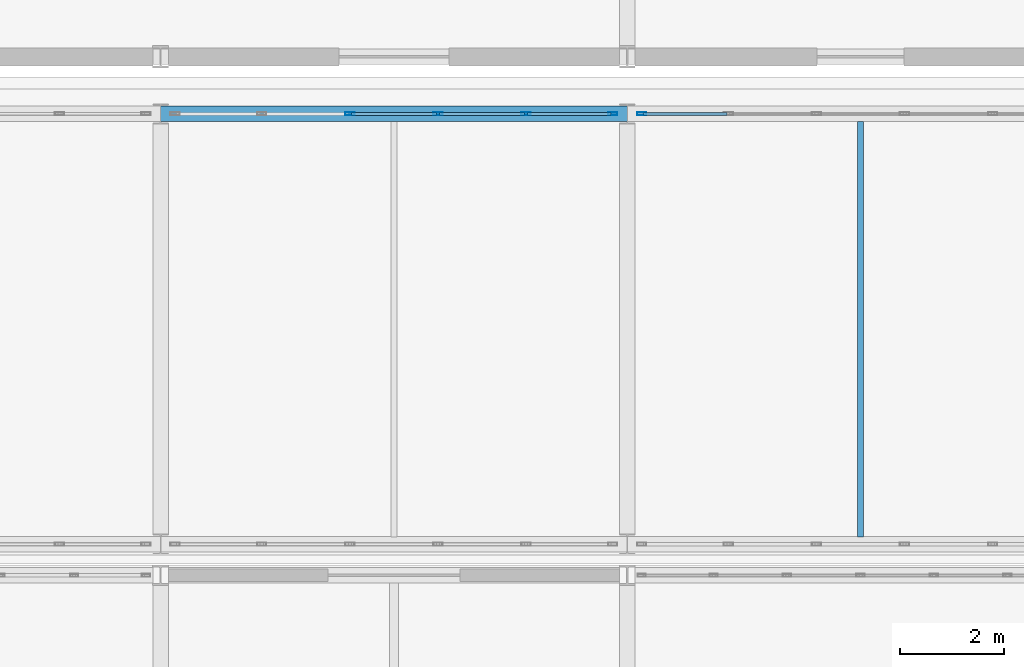
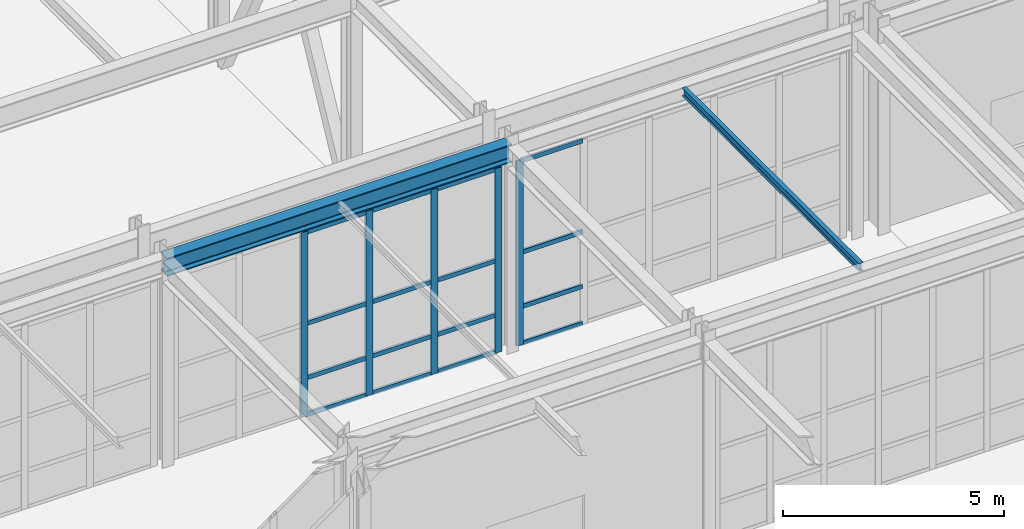
# One storey, part 55 of 146: 21 members, 2 beams, 2 elements without a shape of their own.
"""IFC4 building model written with IfcOpenShell, lengths in metres."""

from ifc_helpers import new_model, si_unit, direction, frame, origin, origin_2d, place, context, subcontext, project, spatial, hollow_rectangle, i_section, extrude, material, material_profile, profile_set, type_object, element, aggregate, save


model = new_model("IFC4")

# Units and contexts
model_context = context("Model", 3, precision=1e-05, world=origin(), true_north=direction((0.0, 1.0)))
body_context = subcontext(model_context, "Body", "Model", "MODEL_VIEW")
ifc_project = project(units=[si_unit("LENGTHUNIT", "METRE"), si_unit("AREAUNIT", "SQUARE_METRE"), si_unit("VOLUMEUNIT", "CUBIC_METRE"), si_unit("PLANEANGLEUNIT", "RADIAN"), si_unit("MASSUNIT", "GRAM", prefix="KILO")], contexts=[model_context])

# Site, building, storey
site_placement = place(None, origin())
site = spatial("IfcSite", under=ifc_project, at=site_placement, CompositionType="ELEMENT")
building_placement = place(site_placement, origin())
building = spatial("IfcBuilding", under=site, at=building_placement, Name="Kaldris Quays Convention Centre", CompositionType="ELEMENT")
storey_placement = place(building_placement, origin())
storey = spatial("IfcBuildingStorey", under=building, at=storey_placement, Name="L00", CompositionType="ELEMENT", Elevation=0.0)

# Curtain wall, members
ifc_material_1 = material(Name="Anodized aluminium AW-6060 and triple glazing", Category="aluminium")
curtain_wall_type = type_object("IfcCurtainWallType", Name="UNITISED CURTAIN WALL CW02", PredefinedType="NOTDEFINED", material=ifc_material_1)
curtain_wall_1_placement = place(storey_placement, origin())
curtain_wall_1 = element("IfcCurtainWall", 1, at=curtain_wall_1_placement, inside=storey, type_object=curtain_wall_type, Name="L00 Unitised Curtain Wall CW02 87", PredefinedType="NOTDEFINED")
ifc_material_2 = material(Name="Anodized aluminium AW-6060", Category="aluminium")
ifc_material_profile_1 = material_profile(ifc_material_2, hollow_rectangle(XDim=0.06005859375, YDim=0.179931640625, WallThickness=0.0048828125, at=origin_2d()), Name="RHS 180x60x5")
ifc_profile_set_1 = profile_set([ifc_material_profile_1], Name="Anodized aluminium AW-6060")
member_type_1 = type_object("IfcMemberType", Name="CURTAIN MULLION CWM2", PredefinedType="MULLION", material=ifc_profile_set_1)
member_1_placement = place(storey_placement, frame((68.64990234375, 54.89990234375, 0.0), z_axis=(0.0, 0.0, 1.0), x_axis=(0.0, 1.0, 0.0)))
member_1 = element("IfcMember", 2, at=member_1_placement, type_object=member_type_1, Name="CW02 mullion 3", PredefinedType="MULLION", context=body_context, shape_type="SweptSolid", body=[
    extrude(hollow_rectangle(XDim=0.06005859375, YDim=0.179931640625, WallThickness=0.0048828125, at=origin_2d()), origin(), (0.0, 0.0, 1.0), 5.10009765625),
])
member_2_placement = place(storey_placement, frame((70.35009765625, 54.89990234375, 0.0), z_axis=(0.0, 0.0, 1.0), x_axis=(0.0, 1.0, 0.0)))
member_2 = element("IfcMember", 3, at=member_2_placement, type_object=member_type_1, Name="CW02 mullion 4", PredefinedType="MULLION", context=body_context, shape_type="SweptSolid", body=[
    extrude(hollow_rectangle(XDim=0.06005859375, YDim=0.179931640625, WallThickness=0.0048828125, at=origin_2d()), origin(), (0.0, 0.0, 1.0), 5.10009765625),
])
member_3_placement = place(storey_placement, frame((72.050048828125, 54.89990234375, 0.0), z_axis=(0.0, 0.0, 1.0), x_axis=(0.0, 1.0, 0.0)))
member_3 = element("IfcMember", 4, at=member_3_placement, type_object=member_type_1, Name="CW02 mullion 5", PredefinedType="MULLION", context=body_context, shape_type="SweptSolid", body=[
    extrude(hollow_rectangle(XDim=0.06005859375, YDim=0.179931640625, WallThickness=0.0048828125, at=origin_2d()), origin(), (0.0, 0.0, 1.0), 5.10009765625),
])
member_4_placement = place(storey_placement, frame((73.719970703125, 54.89990234375, 0.0), z_axis=(0.0, 0.0, 1.0), x_axis=(0.0, 1.0, 0.0)))
member_4 = element("IfcMember", 5, at=member_4_placement, type_object=member_type_1, Name="CW02 mullion 6", PredefinedType="MULLION", context=body_context, shape_type="SweptSolid", body=[
    extrude(hollow_rectangle(XDim=0.06005859375, YDim=0.179931640625, WallThickness=0.0048828125, at=origin_2d()), origin(), (0.0, 0.0, 1.0), 5.10009765625),
])

# Curtain wall, member
curtain_wall_2_placement = place(storey_placement, origin())
curtain_wall_2 = element("IfcCurtainWall", 6, at=curtain_wall_2_placement, inside=storey, type_object=curtain_wall_type, Name="L00 Unitised Curtain Wall CW02 89", PredefinedType="NOTDEFINED")
member_5_placement = place(storey_placement, frame((74.280029296875, 54.89990234375, 0.0), z_axis=(0.0, 0.0, 1.0), x_axis=(0.0, 1.0, 0.0)))
member_5 = element("IfcMember", 7, at=member_5_placement, type_object=member_type_1, Name="CW02 mullion 1", PredefinedType="MULLION", context=body_context, shape_type="SweptSolid", body=[
    extrude(hollow_rectangle(XDim=0.06005859375, YDim=0.179931640625, WallThickness=0.0048828125, at=origin_2d()), origin(), (0.0, 0.0, 1.0), 5.10009765625),
])

# Member
ifc_material_profile_2 = material_profile(ifc_material_2, hollow_rectangle(XDim=0.06005859375, YDim=0.1201171875, WallThickness=0.00390625, at=origin_2d()), Name="RHS 120x60x4")
ifc_profile_set_2 = profile_set([ifc_material_profile_2], Name="Anodized aluminium AW-6060")
member_type_2 = type_object("IfcMemberType", Name="CURTAIN TRANSOM CWT1", PredefinedType="USERDEFINED", material=ifc_profile_set_2)
member_6_placement = place(storey_placement, frame((68.679931640625, 54.89990234375, 0.030029296875), z_axis=(1.0, 0.0, 0.0), x_axis=(0.0, 1.0, 0.0)))
member_6 = element("IfcMember", 8, at=member_6_placement, type_object=member_type_2, Name="CW02 transom 3.1", ObjectType="TRANSOM", PredefinedType="USERDEFINED", context=body_context, shape_type="SweptSolid", body=[
    extrude(hollow_rectangle(XDim=0.06005859375, YDim=0.1201171875, WallThickness=0.00390625, at=origin_2d()), origin(), (0.0, 0.0, 1.0), 1.64013671875),
])

member_7_placement = place(storey_placement, frame((68.679931640625, 54.89990234375, 1.050048828125), z_axis=(1.0, 0.0, 0.0), x_axis=(0.0, 1.0, 0.0)))
member_7 = element("IfcMember", 9, at=member_7_placement, type_object=member_type_2, Name="CW02 transom 3.2", ObjectType="TRANSOM", PredefinedType="USERDEFINED", context=body_context, shape_type="SweptSolid", body=[
    extrude(hollow_rectangle(XDim=0.06005859375, YDim=0.1201171875, WallThickness=0.00390625, at=origin_2d()), origin(), (0.0, 0.0, 1.0), 1.64013671875),
])

member_8_placement = place(storey_placement, frame((68.679931640625, 54.89990234375, 2.550048828125), z_axis=(1.0, 0.0, 0.0), x_axis=(0.0, 1.0, 0.0)))
member_8 = element("IfcMember", 10, at=member_8_placement, type_object=member_type_2, Name="CW02 transom 3.3", ObjectType="TRANSOM", PredefinedType="USERDEFINED", context=body_context, shape_type="SweptSolid", body=[
    extrude(hollow_rectangle(XDim=0.06005859375, YDim=0.1201171875, WallThickness=0.00390625, at=origin_2d()), origin(), (0.0, 0.0, 1.0), 1.64013671875),
])

member_9_placement = place(storey_placement, frame((68.679931640625, 54.89990234375, 5.070068359375), z_axis=(1.0, 0.0, 0.0), x_axis=(0.0, 1.0, 0.0)))
member_9 = element("IfcMember", 11, at=member_9_placement, type_object=member_type_2, Name="CW02 transom 3.4", ObjectType="TRANSOM", PredefinedType="USERDEFINED", context=body_context, shape_type="SweptSolid", body=[
    extrude(hollow_rectangle(XDim=0.06005859375, YDim=0.1201171875, WallThickness=0.00390625, at=origin_2d()), origin(), (0.0, 0.0, 1.0), 1.64013671875),
])

member_10_placement = place(storey_placement, frame((70.3798828125, 54.89990234375, 0.030029296875), z_axis=(1.0, 0.0, 0.0), x_axis=(0.0, 1.0, 0.0)))
member_10 = element("IfcMember", 12, at=member_10_placement, type_object=member_type_2, Name="CW02 transom 4.1", ObjectType="TRANSOM", PredefinedType="USERDEFINED", context=body_context, shape_type="SweptSolid", body=[
    extrude(hollow_rectangle(XDim=0.06005859375, YDim=0.1201171875, WallThickness=0.00390625, at=origin_2d()), origin(), (0.0, 0.0, 1.0), 1.64013671875),
])

member_11_placement = place(storey_placement, frame((70.3798828125, 54.89990234375, 1.050048828125), z_axis=(1.0, 0.0, 0.0), x_axis=(0.0, 1.0, 0.0)))
member_11 = element("IfcMember", 13, at=member_11_placement, type_object=member_type_2, Name="CW02 transom 4.2", ObjectType="TRANSOM", PredefinedType="USERDEFINED", context=body_context, shape_type="SweptSolid", body=[
    extrude(hollow_rectangle(XDim=0.06005859375, YDim=0.1201171875, WallThickness=0.00390625, at=origin_2d()), origin(), (0.0, 0.0, 1.0), 1.64013671875),
])

member_12_placement = place(storey_placement, frame((70.3798828125, 54.89990234375, 2.550048828125), z_axis=(1.0, 0.0, 0.0), x_axis=(0.0, 1.0, 0.0)))
member_12 = element("IfcMember", 14, at=member_12_placement, type_object=member_type_2, Name="CW02 transom 4.3", ObjectType="TRANSOM", PredefinedType="USERDEFINED", context=body_context, shape_type="SweptSolid", body=[
    extrude(hollow_rectangle(XDim=0.06005859375, YDim=0.1201171875, WallThickness=0.00390625, at=origin_2d()), origin(), (0.0, 0.0, 1.0), 1.64013671875),
])

member_13_placement = place(storey_placement, frame((70.3798828125, 54.89990234375, 5.070068359375), z_axis=(1.0, 0.0, 0.0), x_axis=(0.0, 1.0, 0.0)))
member_13 = element("IfcMember", 15, at=member_13_placement, type_object=member_type_2, Name="CW02 transom 4.4", ObjectType="TRANSOM", PredefinedType="USERDEFINED", context=body_context, shape_type="SweptSolid", body=[
    extrude(hollow_rectangle(XDim=0.06005859375, YDim=0.1201171875, WallThickness=0.00390625, at=origin_2d()), origin(), (0.0, 0.0, 1.0), 1.64013671875),
])

member_14_placement = place(storey_placement, frame((72.080078125, 54.89990234375, 0.030029296875), z_axis=(1.0, 0.0, 0.0), x_axis=(0.0, 1.0, 0.0)))
member_14 = element("IfcMember", 16, at=member_14_placement, type_object=member_type_2, Name="CW02 transom 5.1", ObjectType="TRANSOM", PredefinedType="USERDEFINED", context=body_context, shape_type="SweptSolid", body=[
    extrude(hollow_rectangle(XDim=0.06005859375, YDim=0.1201171875, WallThickness=0.00390625, at=origin_2d()), origin(), (0.0, 0.0, 1.0), 1.60986328125),
])

member_15_placement = place(storey_placement, frame((72.080078125, 54.89990234375, 1.050048828125), z_axis=(1.0, 0.0, 0.0), x_axis=(0.0, 1.0, 0.0)))
member_15 = element("IfcMember", 17, at=member_15_placement, type_object=member_type_2, Name="CW02 transom 5.2", ObjectType="TRANSOM", PredefinedType="USERDEFINED", context=body_context, shape_type="SweptSolid", body=[
    extrude(hollow_rectangle(XDim=0.06005859375, YDim=0.1201171875, WallThickness=0.00390625, at=origin_2d()), origin(), (0.0, 0.0, 1.0), 1.60986328125),
])

member_16_placement = place(storey_placement, frame((72.080078125, 54.89990234375, 2.550048828125), z_axis=(1.0, 0.0, 0.0), x_axis=(0.0, 1.0, 0.0)))
member_16 = element("IfcMember", 18, at=member_16_placement, type_object=member_type_2, Name="CW02 transom 5.3", ObjectType="TRANSOM", PredefinedType="USERDEFINED", context=body_context, shape_type="SweptSolid", body=[
    extrude(hollow_rectangle(XDim=0.06005859375, YDim=0.1201171875, WallThickness=0.00390625, at=origin_2d()), origin(), (0.0, 0.0, 1.0), 1.60986328125),
])

member_17_placement = place(storey_placement, frame((72.080078125, 54.89990234375, 5.070068359375), z_axis=(1.0, 0.0, 0.0), x_axis=(0.0, 1.0, 0.0)))
member_17 = element("IfcMember", 19, at=member_17_placement, type_object=member_type_2, Name="CW02 transom 5.4", ObjectType="TRANSOM", PredefinedType="USERDEFINED", context=body_context, shape_type="SweptSolid", body=[
    extrude(hollow_rectangle(XDim=0.06005859375, YDim=0.1201171875, WallThickness=0.00390625, at=origin_2d()), origin(), (0.0, 0.0, 1.0), 1.60986328125),
])

aggregate(curtain_wall_1, [member_1, member_2, member_3, member_4, member_6, member_7, member_8, member_9, member_10, member_11, member_12, member_13, member_14, member_15, member_16, member_17])

member_18_placement = place(storey_placement, frame((74.31005859375, 54.89990234375, 0.030029296875), z_axis=(1.0, 0.0, 0.0), x_axis=(0.0, 1.0, 0.0)))
member_18 = element("IfcMember", 20, at=member_18_placement, type_object=member_type_2, Name="CW02 transom 1.1", ObjectType="TRANSOM", PredefinedType="USERDEFINED", context=body_context, shape_type="SweptSolid", body=[
    extrude(hollow_rectangle(XDim=0.06005859375, YDim=0.1201171875, WallThickness=0.00390625, at=origin_2d()), origin(), (0.0, 0.0, 1.0), 1.60986328125),
])

member_19_placement = place(storey_placement, frame((74.31005859375, 54.89990234375, 1.050048828125), z_axis=(1.0, 0.0, 0.0), x_axis=(0.0, 1.0, 0.0)))
member_19 = element("IfcMember", 21, at=member_19_placement, type_object=member_type_2, Name="CW02 transom 1.2", ObjectType="TRANSOM", PredefinedType="USERDEFINED", context=body_context, shape_type="SweptSolid", body=[
    extrude(hollow_rectangle(XDim=0.06005859375, YDim=0.1201171875, WallThickness=0.00390625, at=origin_2d()), origin(), (0.0, 0.0, 1.0), 1.60986328125),
])

member_20_placement = place(storey_placement, frame((74.31005859375, 54.89990234375, 2.550048828125), z_axis=(1.0, 0.0, 0.0), x_axis=(0.0, 1.0, 0.0)))
member_20 = element("IfcMember", 22, at=member_20_placement, type_object=member_type_2, Name="CW02 transom 1.3", ObjectType="TRANSOM", PredefinedType="USERDEFINED", context=body_context, shape_type="SweptSolid", body=[
    extrude(hollow_rectangle(XDim=0.06005859375, YDim=0.1201171875, WallThickness=0.00390625, at=origin_2d()), origin(), (0.0, 0.0, 1.0), 1.60986328125),
])

member_21_placement = place(storey_placement, frame((74.31005859375, 54.89990234375, 5.070068359375), z_axis=(1.0, 0.0, 0.0), x_axis=(0.0, 1.0, 0.0)))
member_21 = element("IfcMember", 23, at=member_21_placement, type_object=member_type_2, Name="CW02 transom 1.4", ObjectType="TRANSOM", PredefinedType="USERDEFINED", context=body_context, shape_type="SweptSolid", body=[
    extrude(hollow_rectangle(XDim=0.06005859375, YDim=0.1201171875, WallThickness=0.00390625, at=origin_2d()), origin(), (0.0, 0.0, 1.0), 1.60986328125),
])

aggregate(curtain_wall_2, [member_5, member_18, member_19, member_20, member_21])

# Beams
ifc_material_3 = material(Name="Steel S355J2", Category="steel")
ifc_material_profile_3 = material_profile(ifc_material_3, i_section(OverallWidth=0.300048828125, OverallDepth=0.5, WebThickness=0.014404296875, FlangeThickness=0.028076171875, FilletRadius=0.027099609375, at=origin_2d()), Name="HEB 500")
ifc_profile_set_3 = profile_set([ifc_material_profile_3], Name="Steel S355J2")
beam_type_1 = type_object("IfcBeamType", Name="STRUCTURAL BEAM BM06", PredefinedType="BEAM", material=ifc_profile_set_3)
beam_1_placement = place(storey_placement, frame((64.99951171875, 54.89990234375, 5.472900390625), z_axis=(1.0, 0.0, 0.0), x_axis=(0.0, 1.0, 0.0)))
element("IfcBeam", 24, at=beam_1_placement, inside=storey, type_object=beam_type_1, Name="L00 Girder BM06 11", PredefinedType="BEAM", context=body_context, shape_type="SweptSolid", body=[
    extrude(i_section(OverallWidth=0.300048828125, OverallDepth=0.5, WebThickness=0.014404296875, FlangeThickness=0.028076171875, FilletRadius=0.027099609375, at=origin_2d()), origin(), (0.0, 0.0, 1.0), 9.0009765625),
])
ifc_material_profile_4 = material_profile(ifc_material_3, i_section(OverallWidth=0.110107421875, OverallDepth=0.219970703125, WebThickness=0.005859375, FlangeThickness=0.00927734375, FilletRadius=0.011962890625, at=origin_2d()), Name="IPE 220")
ifc_profile_set_4 = profile_set([ifc_material_profile_4], Name="Steel S355J2")
beam_type_2 = type_object("IfcBeamType", Name="STRUCTURAL BEAM JT08", PredefinedType="JOIST", material=ifc_profile_set_4)
beam_2_placement = place(storey_placement, frame((78.5, 46.743896484375, 5.613037109375), z_axis=(0.0, 1.0, 0.0), x_axis=(-1.0, 0.0, 0.0)))
element("IfcBeam", 25, at=beam_2_placement, inside=storey, type_object=beam_type_2, Name="L00 Secondary Joist JT08 6", PredefinedType="JOIST", context=body_context, shape_type="SweptSolid", body=[
    extrude(i_section(OverallWidth=0.110107421875, OverallDepth=0.219970703125, WebThickness=0.005859375, FlangeThickness=0.00927734375, FilletRadius=0.011962890625, at=origin_2d()), origin(), (0.0, 0.0, 1.0), 8.01220703125),
])

save(model, "model.ifc")
